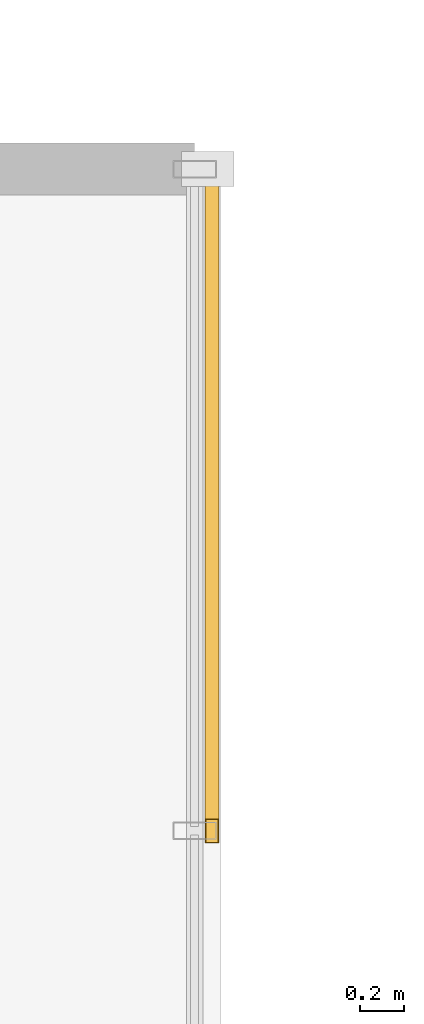
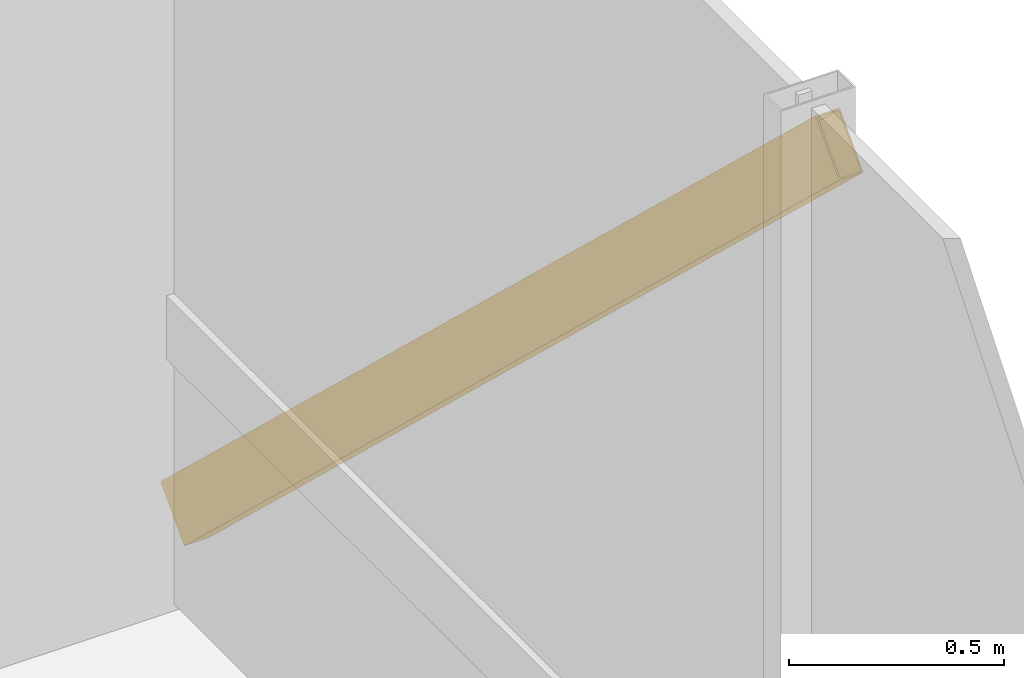
# One storey, part 35 of 35: 1 shading device.
"""IFC4 building model written with IfcOpenShell, lengths in metres."""

from ifc_helpers import new_model, si_unit, direction, frame, origin, origin_2d, place, context, subcontext, project, spatial, hollow_rectangle, extrude, material, material_profile, profile_set, type_object, element, save


model = new_model("IFC4")

# Units and contexts
model_context = context("Model", 3, precision=1e-05, world=origin(), true_north=direction((0.0, 1.0)))
body_context = subcontext(model_context, "Body", "Model", "MODEL_VIEW")
ifc_project = project(units=[si_unit("LENGTHUNIT", "METRE"), si_unit("AREAUNIT", "SQUARE_METRE"), si_unit("VOLUMEUNIT", "CUBIC_METRE"), si_unit("PLANEANGLEUNIT", "RADIAN"), si_unit("MASSUNIT", "GRAM", prefix="KILO")], contexts=[model_context])

# Site, building, storey
site_placement = place(None, origin())
site = spatial("IfcSite", under=ifc_project, at=site_placement, CompositionType="ELEMENT")
building_placement = place(site_placement, origin())
building = spatial("IfcBuilding", under=site, at=building_placement, Name="Drelvath Grand Hotel", CompositionType="ELEMENT")
storey_placement = place(building_placement, frame((0.0, 0.0, 98.800048828125)))
storey = spatial("IfcBuildingStorey", under=building, at=storey_placement, Name="L24", CompositionType="ELEMENT", Elevation=98.800048828125)

# Shading device
ifc_material = material(Name="Champagne Bronze Anodised Aluminium", Category="aluminium")
ifc_material_profile = material_profile(ifc_material, hollow_rectangle(XDim=0.06494140625, YDim=0.159912109375, WallThickness=0.00390625, at=origin_2d()), Name="HSS160X65X4")
ifc_profile_set = profile_set([ifc_material_profile], Name="Champagne Bronze Anodised Aluminium")
shading_device_type = type_object("IfcShadingDeviceType", Name="Diagonal Solar Fin Champagne Anodised HSS160X65X4", PredefinedType="USERDEFINED", material=ifc_profile_set)
shading_device_placement = place(storey_placement, frame((22.159912109375, 49.5, 0.179931640625), z_axis=(0.0, -0.72596953443, 0.68772686081), x_axis=(1.0, 0.0, 0.0)))
element("IfcShadingDevice", 1, at=shading_device_placement, inside=storey, type_object=shading_device_type, Name="L24 Diagonal Anodised Fin CW03-L24-EN3", ObjectType="FIN", PredefinedType="USERDEFINED", context=body_context, shape_type="SweptSolid", body=[
    extrude(hollow_rectangle(XDim=0.06494140625, YDim=0.159912109375, WallThickness=0.00390625, at=origin_2d()), origin(), (0.0, 0.0, 1.0), 4.18798828125),
])

save(model, "model.ifc")
